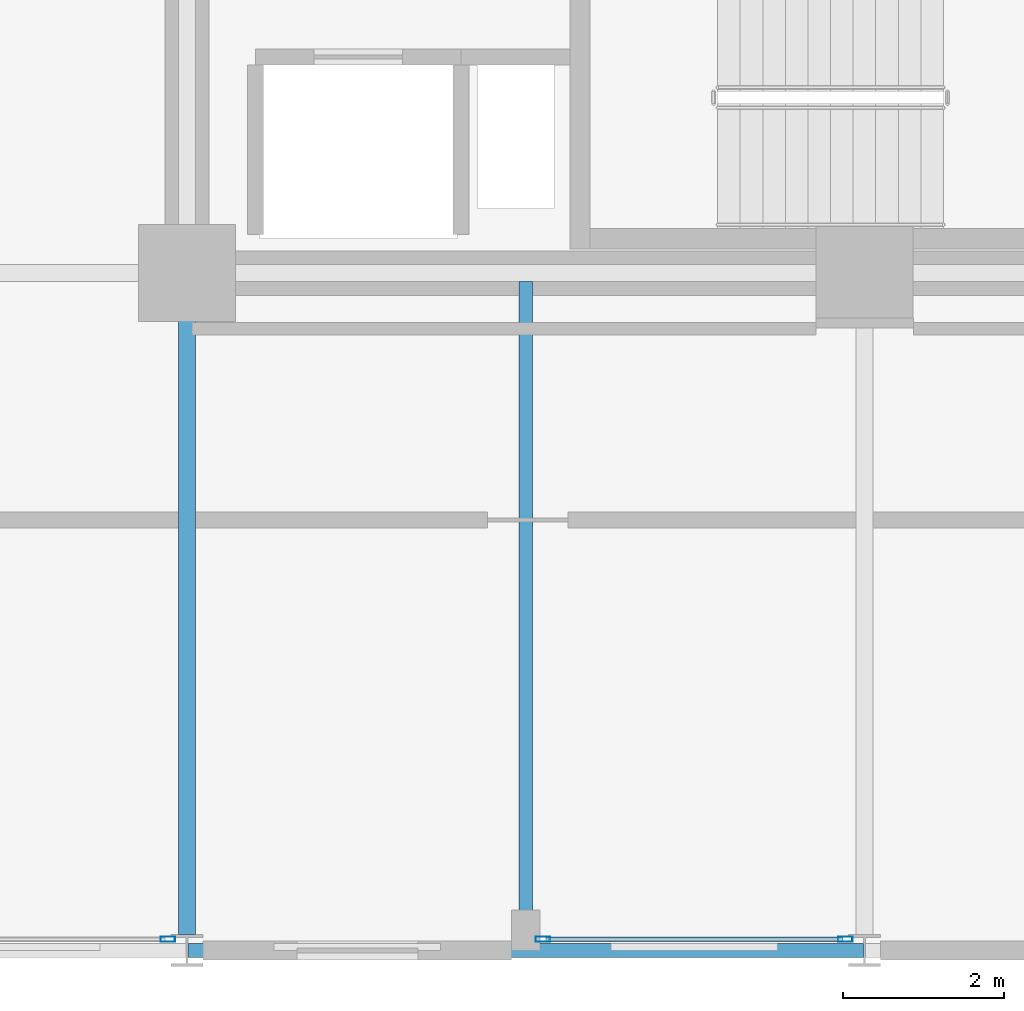
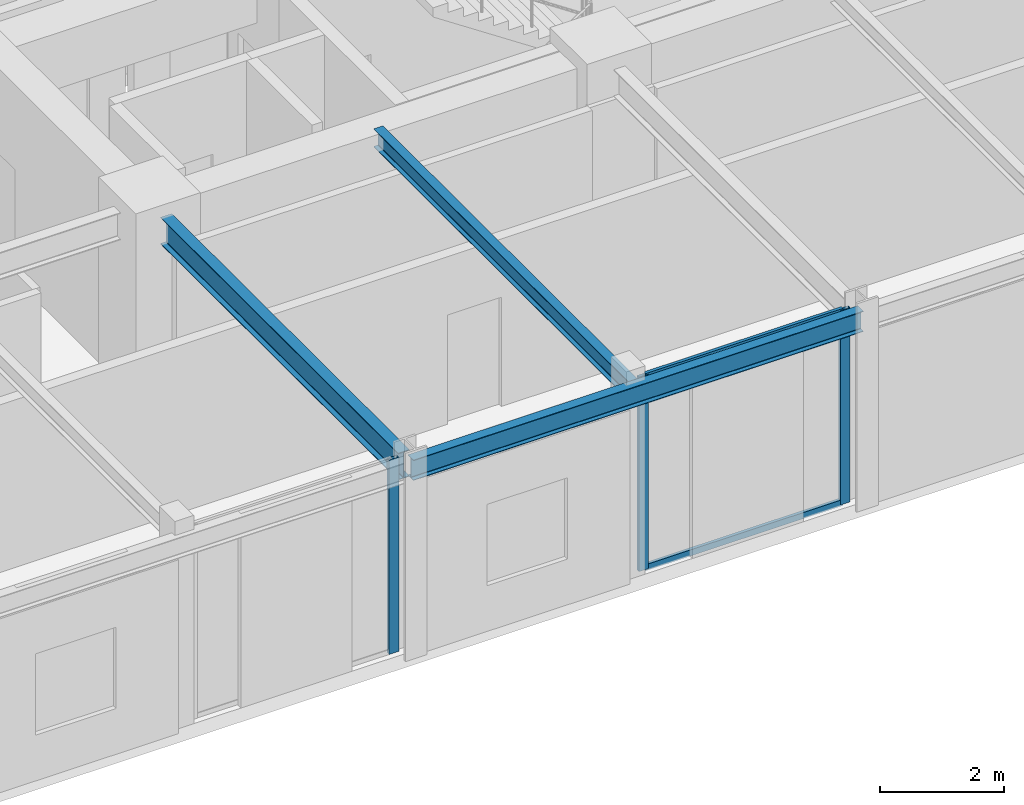
# One storey, part 6 of 29: 5 members, 3 beams, 2 elements without a shape of their own.
"""IFC4 building model written with IfcOpenShell, lengths in metres."""

from ifc_helpers import new_model, si_unit, direction, frame, origin, origin_2d, place, context, subcontext, project, spatial, hollow_rectangle, i_section, extrude, material, layer, layer_set, material_profile, profile_set, type_object, element, aggregate, save


model = new_model("IFC4")

# Units and contexts
model_context = context("Model", 3, precision=1e-05, world=origin(), true_north=direction((0.0, 1.0)))
body_context = subcontext(model_context, "Body", "Model", "MODEL_VIEW")
ifc_project = project(units=[si_unit("LENGTHUNIT", "METRE"), si_unit("AREAUNIT", "SQUARE_METRE"), si_unit("VOLUMEUNIT", "CUBIC_METRE"), si_unit("PLANEANGLEUNIT", "RADIAN"), si_unit("MASSUNIT", "GRAM", prefix="KILO")], contexts=[model_context])

# Site, building, storey
site_placement = place(None, origin())
site = spatial("IfcSite", under=ifc_project, at=site_placement, CompositionType="ELEMENT")
building_placement = place(site_placement, origin())
building = spatial("IfcBuilding", under=site, at=building_placement, Name="Nerrivon Quay Data Exchange", CompositionType="ELEMENT")
storey_placement = place(building_placement, frame((0.0, 0.0, 133.60009765625)))
storey = spatial("IfcBuildingStorey", under=building, at=storey_placement, Name="L31", CompositionType="ELEMENT", Elevation=133.60009765625)

# Beams
ifc_material_1 = material(Name="Steel Grade 350", Category="steel")
ifc_material_profile_1 = material_profile(ifc_material_1, i_section(OverallWidth=0.208984375, OverallDepth=0.528076171875, WebThickness=0.009521484375, FlangeThickness=0.01318359375, FilletRadius=0.013916015625, at=origin_2d()), Name="530UB82.0")
ifc_profile_set_1 = profile_set([ifc_material_profile_1], Name="Steel Grade 350")
beam_type_1 = type_object("IfcBeamType", Name="BM-G4-530UB82", PredefinedType="BEAM", material=ifc_profile_set_1)
beam_1_placement = place(storey_placement, frame((16.800048828125, 0.199951171875, 3.560791015625), z_axis=(0.0, 1.0, 0.0), x_axis=(-1.0, 0.0, 0.0)))
element("IfcBeam", 1, at=beam_1_placement, inside=storey, type_object=beam_type_1, Name="L31 NS Girder X=16.8 (0.0..8.4)", PredefinedType="BEAM", context=body_context, shape_type="SweptSolid", body=[
    extrude(i_section(OverallWidth=0.208984375, OverallDepth=0.528076171875, WebThickness=0.009521484375, FlangeThickness=0.01318359375, FilletRadius=0.013916015625, at=origin_2d()), origin(), (0.0, 0.0, 1.0), 7.66015625),
])
ifc_material_profile_2 = material_profile(ifc_material_1, i_section(OverallWidth=0.1708984375, OverallDepth=0.35595703125, WebThickness=0.00732421875, FlangeThickness=0.011474609375, FilletRadius=0.011474609375, at=origin_2d()), Name="360UB50.7")
ifc_profile_set_2 = profile_set([ifc_material_profile_2], Name="Steel Grade 350")
beam_type_2 = type_object("IfcBeamType", Name="BM-J4-360UB51", PredefinedType="JOIST", material=ifc_profile_set_2)
beam_2_placement = place(storey_placement, frame((21.0, 0.089111328125, 3.64697265625), z_axis=(0.0, 1.0, 0.0), x_axis=(-1.0, 0.0, 0.0)))
element("IfcBeam", 2, at=beam_2_placement, inside=storey, type_object=beam_type_2, Name="L31 Secondary Joist X=21.0 (0.0..8.4)", PredefinedType="JOIST", context=body_context, shape_type="SweptSolid", body=[
    extrude(i_section(OverallWidth=0.1708984375, OverallDepth=0.35595703125, WebThickness=0.00732421875, FlangeThickness=0.011474609375, FilletRadius=0.011474609375, at=origin_2d()), origin(), (0.0, 0.0, 1.0), 8.206298828125),
])
ifc_material_profile_3 = material_profile(ifc_material_1, i_section(OverallWidth=0.177978515625, OverallDepth=0.403076171875, WebThickness=0.007568359375, FlangeThickness=0.010986328125, FilletRadius=0.011474609375, at=origin_2d()), Name="410UB53.7")
ifc_profile_set_3 = profile_set([ifc_material_profile_3], Name="Steel Grade 350")
beam_type_3 = type_object("IfcBeamType", Name="BM-SP2-410UB54", PredefinedType="SPANDREL", material=ifc_profile_set_3)
beam_3_placement = place(storey_placement, frame((16.8125, 0.0, 3.623291015625), z_axis=(1.0, 0.0, 0.0), x_axis=(0.0, 1.0, 0.0)))
element("IfcBeam", 3, at=beam_3_placement, inside=storey, type_object=beam_type_3, Name="L31 EW Girder Y=0.0 (16.8..25.2)", PredefinedType="SPANDREL", context=body_context, shape_type="SweptSolid", body=[
    extrude(i_section(OverallWidth=0.177978515625, OverallDepth=0.403076171875, WebThickness=0.007568359375, FlangeThickness=0.010986328125, FilletRadius=0.011474609375, at=origin_2d()), origin(), (0.0, 0.0, 1.0), 8.375),
])

# Curtain wall, members
ifc_material_2 = material(Name="Anodised aluminium 6063-T6", Category="aluminium")
ifc_layer = layer(ifc_material_2, 0.2099609375)
ifc_layer_set = layer_set([ifc_layer], Name="Anodised aluminium 6063-T6")
curtain_wall_type = type_object("IfcCurtainWallType", Name="CW-SYS-02", PredefinedType="NOTDEFINED", material=ifc_layer_set)
curtain_wall_1_placement = place(storey_placement, origin())
curtain_wall_1 = element("IfcCurtainWall", 4, at=curtain_wall_1_placement, inside=storey, type_object=curtain_wall_type, Name="L31 Unitised Curtain Wall 4", PredefinedType="NOTDEFINED")
ifc_material_profile_4 = material_profile(ifc_material_2, hollow_rectangle(XDim=0.06494140625, YDim=0.179931640625, WallThickness=0.00341796875, at=origin_2d()), Name="ALU-MULL-180x65")
ifc_profile_set_4 = profile_set([ifc_material_profile_4], Name="Anodised aluminium 6063-T6")
member_type_1 = type_object("IfcMemberType", Name="CWM-180x65", PredefinedType="MULLION", material=ifc_profile_set_4)
member_1_placement = place(storey_placement, frame((24.96240234375, 0.139892578125, 0.0), z_axis=(0.0, 0.0, 1.0), x_axis=(0.0, -1.0, 0.0)))
member_1 = element("IfcMember", 5, at=member_1_placement, type_object=member_type_1, Name="CW02 mullion 1", PredefinedType="MULLION", context=body_context, shape_type="SweptSolid", body=[
    extrude(hollow_rectangle(XDim=0.06494140625, YDim=0.179931640625, WallThickness=0.00341796875, at=origin_2d()), origin(), (0.0, 0.0, 1.0), 3.824951171875),
])
member_2_placement = place(storey_placement, frame((21.21240234375, 0.139892578125, 0.0), z_axis=(0.0, 0.0, 1.0), x_axis=(0.0, -1.0, 0.0)))
member_2 = element("IfcMember", 6, at=member_2_placement, type_object=member_type_1, Name="CW02 mullion 2", PredefinedType="MULLION", context=body_context, shape_type="SweptSolid", body=[
    extrude(hollow_rectangle(XDim=0.06494140625, YDim=0.179931640625, WallThickness=0.00341796875, at=origin_2d()), origin(), (0.0, 0.0, 1.0), 3.824951171875),
])

# Curtain wall, member
curtain_wall_2_placement = place(storey_placement, origin())
curtain_wall_2 = element("IfcCurtainWall", 7, at=curtain_wall_2_placement, inside=storey, type_object=curtain_wall_type, Name="L31 Unitised Curtain Wall 6", PredefinedType="NOTDEFINED")
member_3_placement = place(storey_placement, frame((16.5625, 0.139892578125, 0.0), z_axis=(0.0, 0.0, 1.0), x_axis=(0.0, -1.0, 0.0)))
member_3 = element("IfcMember", 8, at=member_3_placement, type_object=member_type_1, Name="CW02 mullion 1", PredefinedType="MULLION", context=body_context, shape_type="SweptSolid", body=[
    extrude(hollow_rectangle(XDim=0.06494140625, YDim=0.179931640625, WallThickness=0.00341796875, at=origin_2d()), origin(), (0.0, 0.0, 1.0), 3.824951171875),
])
aggregate(curtain_wall_2, [member_3])

# Member
ifc_material_profile_5 = material_profile(ifc_material_2, hollow_rectangle(XDim=0.06005859375, YDim=0.1201171875, WallThickness=0.003173828125, at=origin_2d()), Name="ALU-TRAN-120x60")
ifc_profile_set_5 = profile_set([ifc_material_profile_5], Name="Anodised aluminium 6063-T6")
member_type_2 = type_object("IfcMemberType", Name="CWT-120x60", PredefinedType="USERDEFINED", material=ifc_profile_set_5)
member_4_placement = place(storey_placement, frame((24.925048828125, 0.139892578125, 0.032470703125), z_axis=(-1.0, 0.0, 0.0), x_axis=(0.0, -1.0, 0.0)))
member_4 = element("IfcMember", 9, at=member_4_placement, type_object=member_type_2, Name="CW02 transom 1.1", ObjectType="TRANSOM", PredefinedType="USERDEFINED", context=body_context, shape_type="SweptSolid", body=[
    extrude(hollow_rectangle(XDim=0.06005859375, YDim=0.1201171875, WallThickness=0.003173828125, at=origin_2d()), origin(), (0.0, 0.0, 1.0), 3.675048828125),
])

member_5_placement = place(storey_placement, frame((24.925048828125, 0.139892578125, 3.79248046875), z_axis=(-1.0, 0.0, 0.0), x_axis=(0.0, -1.0, 0.0)))
member_5 = element("IfcMember", 10, at=member_5_placement, type_object=member_type_2, Name="CW02 transom 1.2", ObjectType="TRANSOM", PredefinedType="USERDEFINED", context=body_context, shape_type="SweptSolid", body=[
    extrude(hollow_rectangle(XDim=0.06005859375, YDim=0.1201171875, WallThickness=0.003173828125, at=origin_2d()), origin(), (0.0, 0.0, 1.0), 3.675048828125),
])

aggregate(curtain_wall_1, [member_1, member_2, member_4, member_5])

save(model, "model.ifc")
